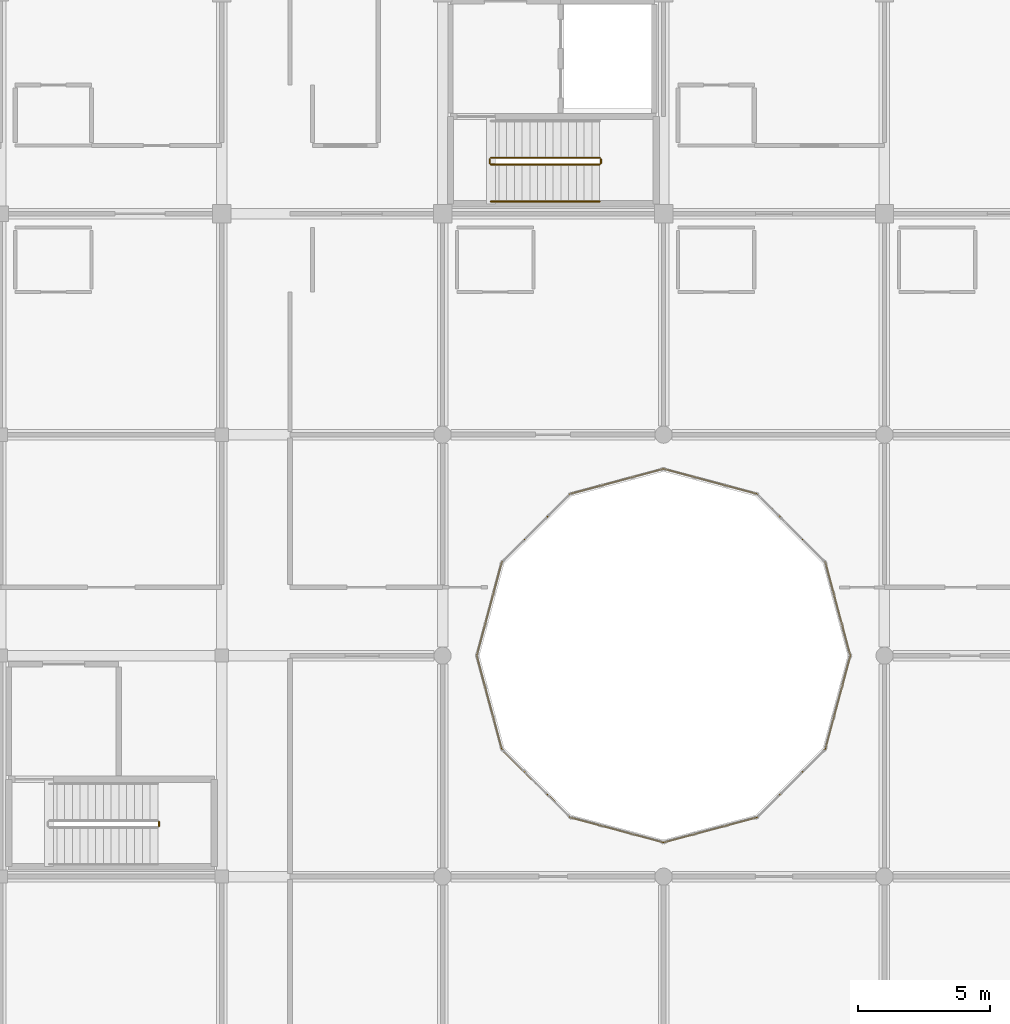
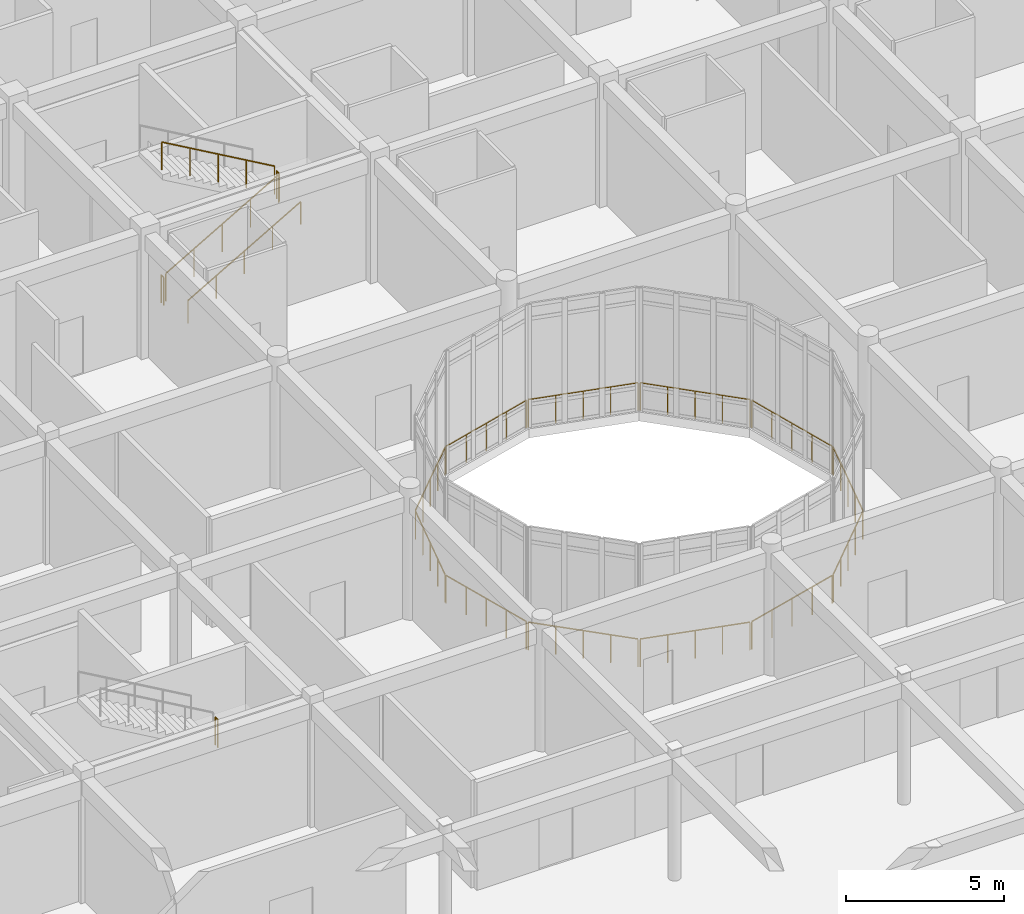
# One storey, part 126 of 134: 18 railings.
"""IFC4 building model written with IfcOpenShell, lengths in metres."""

from ifc_helpers import new_model, si_unit, direction, frame, origin, origin_2d, place, context, subcontext, project, spatial, circle, extrude, material, type_object, element, save


model = new_model("IFC4")

# Units and contexts
model_context = context("Model", 3, precision=1e-05, world=origin(), true_north=direction((0.0, 1.0)))
body_context = subcontext(model_context, "Body", "Model", "MODEL_VIEW")
ifc_project = project(units=[si_unit("LENGTHUNIT", "METRE"), si_unit("AREAUNIT", "SQUARE_METRE"), si_unit("VOLUMEUNIT", "CUBIC_METRE"), si_unit("PLANEANGLEUNIT", "RADIAN"), si_unit("MASSUNIT", "GRAM", prefix="KILO")], contexts=[model_context])

# Site, building, storey
site_placement = place(None, origin())
site = spatial("IfcSite", under=ifc_project, at=site_placement, CompositionType="ELEMENT")
building_placement = place(site_placement, origin())
building = spatial("IfcBuilding", under=site, at=building_placement, Name="Bramfleet General Hospital", CompositionType="ELEMENT")
storey_placement = place(building_placement, frame((0.0, 0.0, 9.300048828125)))
storey = spatial("IfcBuildingStorey", under=building, at=storey_placement, Name="L02", CompositionType="ELEMENT", Elevation=9.300048828125)

# Railings
ifc_material_1 = material(Name="Stainless steel 1.4401 safety balustrade", Category="steel")
railing_type_1 = type_object("IfcRailingType", Name="RAIL-EXT-GUARD", PredefinedType="GUARDRAIL", material=ifc_material_1)
railing_1_placement = place(storey_placement, frame((76.906005859375, 75.564453125, 0.0)))
element("IfcRailing", 1, at=railing_1_placement, inside=storey, type_object=railing_type_1, Name="L02 Safety Guard Rail 89", PredefinedType="GUARDRAIL", context=body_context, shape_type="SweptSolid", body=[
    extrude(circle(Radius=0.02392578125, at=origin_2d()), frame((0.0, 0.0, 1.076171875), z_axis=(0.258809459738, -0.965928394629, 0.0), x_axis=(0.965928394629, 0.258809459738, 0.0)), (0.0, 0.0, 1.0), 3.603515625),
    extrude(circle(Radius=0.02099609375, at=origin_2d()), origin(), (0.0, 0.0, 1.0), 1.052001953125),
    extrude(circle(Radius=0.02099609375, at=origin_2d()), frame((0.233154296875, -0.8701171875, 0.0)), (0.0, 0.0, 1.0), 1.052001953125),
    extrude(circle(Radius=0.02099609375, at=origin_2d()), frame((0.46630859375, -1.740234375, 0.0)), (0.0, 0.0, 1.0), 1.052001953125),
    extrude(circle(Radius=0.02099609375, at=origin_2d()), frame((0.699462890625, -2.610595703125, 0.0)), (0.0, 0.0, 1.0), 1.052001953125),
    extrude(circle(Radius=0.02099609375, at=origin_2d()), frame((0.9326171875, -3.480712890625, 0.0)), (0.0, 0.0, 1.0), 1.052001953125),
])
railing_2_placement = place(storey_placement, frame((77.874267578125, 72.022216796875, 0.0)))
element("IfcRailing", 2, at=railing_2_placement, inside=storey, type_object=railing_type_1, Name="L02 Safety Guard Rail 90", PredefinedType="GUARDRAIL", context=body_context, shape_type="SweptSolid", body=[
    extrude(circle(Radius=0.02392578125, at=origin_2d()), frame((0.0, 0.0, 1.076171875), z_axis=(0.707072903751, -0.707140656999, 0.0), x_axis=(0.707140656999, 0.707072903751, 0.0)), (0.0, 0.0, 1.0), 3.603271484375),
    extrude(circle(Radius=0.02099609375, at=origin_2d()), origin(), (0.0, 0.0, 1.0), 1.052001953125),
    extrude(circle(Radius=0.02099609375, at=origin_2d()), frame((0.636962890625, -0.636962890625, 0.0)), (0.0, 0.0, 1.0), 1.052001953125),
    extrude(circle(Radius=0.02099609375, at=origin_2d()), frame((1.27392578125, -1.27392578125, 0.0)), (0.0, 0.0, 1.0), 1.052001953125),
    extrude(circle(Radius=0.02099609375, at=origin_2d()), frame((1.910888671875, -1.9111328125, 0.0)), (0.0, 0.0, 1.0), 1.052001953125),
    extrude(circle(Radius=0.02099609375, at=origin_2d()), frame((2.5478515625, -2.548095703125, 0.0)), (0.0, 0.0, 1.0), 1.052001953125),
])
railing_3_placement = place(storey_placement, frame((80.48388671875, 69.438720703125, 0.0)))
element("IfcRailing", 3, at=railing_3_placement, inside=storey, type_object=railing_type_1, Name="L02 Safety Guard Rail 91", PredefinedType="GUARDRAIL", context=body_context, shape_type="SweptSolid", body=[
    extrude(circle(Radius=0.02392578125, at=origin_2d()), frame((0.0, 0.0, 1.076171875), z_axis=(0.965928394629, -0.258809459738, 0.0), x_axis=(0.258809459738, 0.965928394629, 0.0)), (0.0, 0.0, 1.0), 3.603515625),
    extrude(circle(Radius=0.02099609375, at=origin_2d()), origin(), (0.0, 0.0, 1.0), 1.052001953125),
    extrude(circle(Radius=0.02099609375, at=origin_2d()), frame((0.8701171875, -0.233154296875, 0.0)), (0.0, 0.0, 1.0), 1.052001953125),
    extrude(circle(Radius=0.02099609375, at=origin_2d()), frame((1.740234375, -0.46630859375, 0.0)), (0.0, 0.0, 1.0), 1.052001953125),
    extrude(circle(Radius=0.02099609375, at=origin_2d()), frame((2.610595703125, -0.699462890625, 0.0)), (0.0, 0.0, 1.0), 1.052001953125),
    extrude(circle(Radius=0.02099609375, at=origin_2d()), frame((3.480712890625, -0.9326171875, 0.0)), (0.0, 0.0, 1.0), 1.052001953125),
])
railing_4_placement = place(storey_placement, frame((84.035400390625, 68.506103515625, 0.0)))
element("IfcRailing", 4, at=railing_4_placement, inside=storey, type_object=railing_type_1, Name="L02 Safety Guard Rail 92", PredefinedType="GUARDRAIL", context=body_context, shape_type="SweptSolid", body=[
    extrude(circle(Radius=0.02392578125, at=origin_2d()), frame((0.0, 0.0, 1.076171875), z_axis=(0.965928394629, 0.258809459738, 0.0), x_axis=(-0.258809459738, 0.965928394629, 0.0)), (0.0, 0.0, 1.0), 3.603515625),
    extrude(circle(Radius=0.02099609375, at=origin_2d()), origin(), (0.0, 0.0, 1.0), 1.052001953125),
    extrude(circle(Radius=0.02099609375, at=origin_2d()), frame((0.8701171875, 0.233154296875, 0.0)), (0.0, 0.0, 1.0), 1.052001953125),
    extrude(circle(Radius=0.02099609375, at=origin_2d()), frame((1.740234375, 0.46630859375, 0.0)), (0.0, 0.0, 1.0), 1.052001953125),
    extrude(circle(Radius=0.02099609375, at=origin_2d()), frame((2.610595703125, 0.699462890625, 0.0)), (0.0, 0.0, 1.0), 1.052001953125),
    extrude(circle(Radius=0.02099609375, at=origin_2d()), frame((3.480712890625, 0.9326171875, 0.0)), (0.0, 0.0, 1.0), 1.052001953125),
])
railing_5_placement = place(storey_placement, frame((87.577880859375, 69.47412109375, 0.0)))
element("IfcRailing", 5, at=railing_5_placement, inside=storey, type_object=railing_type_1, Name="L02 Safety Guard Rail 93", PredefinedType="GUARDRAIL", context=body_context, shape_type="SweptSolid", body=[
    extrude(circle(Radius=0.02392578125, at=origin_2d()), frame((0.0, 0.0, 1.076171875), z_axis=(0.707072903751, 0.707140656999, 0.0), x_axis=(-0.707140656999, 0.707072903751, 0.0)), (0.0, 0.0, 1.0), 3.603271484375),
    extrude(circle(Radius=0.02099609375, at=origin_2d()), origin(), (0.0, 0.0, 1.0), 1.052001953125),
    extrude(circle(Radius=0.02099609375, at=origin_2d()), frame((0.636962890625, 0.636962890625, 0.0)), (0.0, 0.0, 1.0), 1.052001953125),
    extrude(circle(Radius=0.02099609375, at=origin_2d()), frame((1.27392578125, 1.27392578125, 0.0)), (0.0, 0.0, 1.0), 1.052001953125),
    extrude(circle(Radius=0.02099609375, at=origin_2d()), frame((1.910888671875, 1.9111328125, 0.0)), (0.0, 0.0, 1.0), 1.052001953125),
    extrude(circle(Radius=0.02099609375, at=origin_2d()), frame((2.5478515625, 2.548095703125, 0.0)), (0.0, 0.0, 1.0), 1.052001953125),
])
railing_6_placement = place(storey_placement, frame((90.161376953125, 72.083740234375, 0.0)))
element("IfcRailing", 6, at=railing_6_placement, inside=storey, type_object=railing_type_1, Name="L02 Safety Guard Rail 94", PredefinedType="GUARDRAIL", context=body_context, shape_type="SweptSolid", body=[
    extrude(circle(Radius=0.02392578125, at=origin_2d()), frame((0.0, 0.0, 1.076171875), z_axis=(0.258809459738, 0.965928394629, 0.0), x_axis=(-0.965928394629, 0.258809459738, 0.0)), (0.0, 0.0, 1.0), 3.603515625),
    extrude(circle(Radius=0.02099609375, at=origin_2d()), origin(), (0.0, 0.0, 1.0), 1.052001953125),
    extrude(circle(Radius=0.02099609375, at=origin_2d()), frame((0.233154296875, 0.8701171875, 0.0)), (0.0, 0.0, 1.0), 1.052001953125),
    extrude(circle(Radius=0.02099609375, at=origin_2d()), frame((0.46630859375, 1.740234375, 0.0)), (0.0, 0.0, 1.0), 1.052001953125),
    extrude(circle(Radius=0.02099609375, at=origin_2d()), frame((0.699462890625, 2.610595703125, 0.0)), (0.0, 0.0, 1.0), 1.052001953125),
    extrude(circle(Radius=0.02099609375, at=origin_2d()), frame((0.9326171875, 3.480712890625, 0.0)), (0.0, 0.0, 1.0), 1.052001953125),
])
railing_7_placement = place(storey_placement, frame((91.093994140625, 75.635498046875, 0.0)))
element("IfcRailing", 7, at=railing_7_placement, inside=storey, type_object=railing_type_1, Name="L02 Safety Guard Rail 95", PredefinedType="GUARDRAIL", context=body_context, shape_type="SweptSolid", body=[
    extrude(circle(Radius=0.02392578125, at=origin_2d()), frame((0.0, 0.0, 1.076171875), z_axis=(-0.258809459738, 0.965928394629, 0.0), x_axis=(-0.965928394629, -0.258809459738, 0.0)), (0.0, 0.0, 1.0), 3.603515625),
    extrude(circle(Radius=0.02099609375, at=origin_2d()), origin(), (0.0, 0.0, 1.0), 1.052001953125),
    extrude(circle(Radius=0.02099609375, at=origin_2d()), frame((-0.233154296875, 0.8701171875, 0.0)), (0.0, 0.0, 1.0), 1.052001953125),
    extrude(circle(Radius=0.02099609375, at=origin_2d()), frame((-0.46630859375, 1.740234375, 0.0)), (0.0, 0.0, 1.0), 1.052001953125),
    extrude(circle(Radius=0.02099609375, at=origin_2d()), frame((-0.699462890625, 2.610595703125, 0.0)), (0.0, 0.0, 1.0), 1.052001953125),
    extrude(circle(Radius=0.02099609375, at=origin_2d()), frame((-0.9326171875, 3.480712890625, 0.0)), (0.0, 0.0, 1.0), 1.052001953125),
])
railing_8_placement = place(storey_placement, frame((90.125732421875, 79.177734375, 0.0)))
element("IfcRailing", 8, at=railing_8_placement, inside=storey, type_object=railing_type_1, Name="L02 Safety Guard Rail 96", PredefinedType="GUARDRAIL", context=body_context, shape_type="SweptSolid", body=[
    extrude(circle(Radius=0.02392578125, at=origin_2d()), frame((0.0, 0.0, 1.076171875), z_axis=(-0.707072903751, 0.707140656999, 0.0), x_axis=(-0.707140656999, -0.707072903751, 0.0)), (0.0, 0.0, 1.0), 3.603271484375),
    extrude(circle(Radius=0.02099609375, at=origin_2d()), origin(), (0.0, 0.0, 1.0), 1.052001953125),
    extrude(circle(Radius=0.02099609375, at=origin_2d()), frame((-0.636962890625, 0.636962890625, 0.0)), (0.0, 0.0, 1.0), 1.052001953125),
    extrude(circle(Radius=0.02099609375, at=origin_2d()), frame((-1.27392578125, 1.27392578125, 0.0)), (0.0, 0.0, 1.0), 1.052001953125),
    extrude(circle(Radius=0.02099609375, at=origin_2d()), frame((-1.910888671875, 1.9111328125, 0.0)), (0.0, 0.0, 1.0), 1.052001953125),
    extrude(circle(Radius=0.02099609375, at=origin_2d()), frame((-2.5478515625, 2.548095703125, 0.0)), (0.0, 0.0, 1.0), 1.052001953125),
])
railing_9_placement = place(storey_placement, frame((87.51611328125, 81.761474609375, 0.0)))
element("IfcRailing", 9, at=railing_9_placement, inside=storey, type_object=railing_type_1, Name="L02 Safety Guard Rail 97", PredefinedType="GUARDRAIL", context=body_context, shape_type="SweptSolid", body=[
    extrude(circle(Radius=0.02392578125, at=origin_2d()), frame((0.0, 0.0, 1.076171875), z_axis=(-0.965928394629, 0.258809459738, 0.0), x_axis=(-0.258809459738, -0.965928394629, 0.0)), (0.0, 0.0, 1.0), 3.603515625),
    extrude(circle(Radius=0.02099609375, at=origin_2d()), origin(), (0.0, 0.0, 1.0), 1.052001953125),
    extrude(circle(Radius=0.02099609375, at=origin_2d()), frame((-0.8701171875, 0.233154296875, 0.0)), (0.0, 0.0, 1.0), 1.052001953125),
    extrude(circle(Radius=0.02099609375, at=origin_2d()), frame((-1.740234375, 0.46630859375, 0.0)), (0.0, 0.0, 1.0), 1.052001953125),
    extrude(circle(Radius=0.02099609375, at=origin_2d()), frame((-2.610595703125, 0.699462890625, 0.0)), (0.0, 0.0, 1.0), 1.052001953125),
    extrude(circle(Radius=0.02099609375, at=origin_2d()), frame((-3.480712890625, 0.9326171875, 0.0)), (0.0, 0.0, 1.0), 1.052001953125),
])
railing_10_placement = place(storey_placement, frame((83.964599609375, 82.694091796875, 0.0)))
element("IfcRailing", 10, at=railing_10_placement, inside=storey, type_object=railing_type_1, Name="L02 Safety Guard Rail 98", PredefinedType="GUARDRAIL", context=body_context, shape_type="SweptSolid", body=[
    extrude(circle(Radius=0.02392578125, at=origin_2d()), frame((0.0, 0.0, 1.076171875), z_axis=(-0.965928394629, -0.258809459738, 0.0), x_axis=(0.258809459738, -0.965928394629, 0.0)), (0.0, 0.0, 1.0), 3.603515625),
    extrude(circle(Radius=0.02099609375, at=origin_2d()), origin(), (0.0, 0.0, 1.0), 1.052001953125),
    extrude(circle(Radius=0.02099609375, at=origin_2d()), frame((-0.8701171875, -0.233154296875, 0.0)), (0.0, 0.0, 1.0), 1.052001953125),
    extrude(circle(Radius=0.02099609375, at=origin_2d()), frame((-1.740234375, -0.46630859375, 0.0)), (0.0, 0.0, 1.0), 1.052001953125),
    extrude(circle(Radius=0.02099609375, at=origin_2d()), frame((-2.610595703125, -0.699462890625, 0.0)), (0.0, 0.0, 1.0), 1.052001953125),
    extrude(circle(Radius=0.02099609375, at=origin_2d()), frame((-3.480712890625, -0.9326171875, 0.0)), (0.0, 0.0, 1.0), 1.052001953125),
])
railing_11_placement = place(storey_placement, frame((80.422119140625, 81.725830078125, 0.0)))
element("IfcRailing", 11, at=railing_11_placement, inside=storey, type_object=railing_type_1, Name="L02 Safety Guard Rail 99", PredefinedType="GUARDRAIL", context=body_context, shape_type="SweptSolid", body=[
    extrude(circle(Radius=0.02392578125, at=origin_2d()), frame((0.0, 0.0, 1.076171875), z_axis=(-0.707072903751, -0.707140656999, 0.0), x_axis=(0.707140656999, -0.707072903751, 0.0)), (0.0, 0.0, 1.0), 3.603271484375),
    extrude(circle(Radius=0.02099609375, at=origin_2d()), origin(), (0.0, 0.0, 1.0), 1.052001953125),
    extrude(circle(Radius=0.02099609375, at=origin_2d()), frame((-0.636962890625, -0.636962890625, 0.0)), (0.0, 0.0, 1.0), 1.052001953125),
    extrude(circle(Radius=0.02099609375, at=origin_2d()), frame((-1.27392578125, -1.27392578125, 0.0)), (0.0, 0.0, 1.0), 1.052001953125),
    extrude(circle(Radius=0.02099609375, at=origin_2d()), frame((-1.910888671875, -1.9111328125, 0.0)), (0.0, 0.0, 1.0), 1.052001953125),
    extrude(circle(Radius=0.02099609375, at=origin_2d()), frame((-2.5478515625, -2.548095703125, 0.0)), (0.0, 0.0, 1.0), 1.052001953125),
])
railing_12_placement = place(storey_placement, frame((77.838623046875, 79.1162109375, 0.0)))
element("IfcRailing", 12, at=railing_12_placement, inside=storey, type_object=railing_type_1, Name="L02 Safety Guard Rail 100", PredefinedType="GUARDRAIL", context=body_context, shape_type="SweptSolid", body=[
    extrude(circle(Radius=0.02392578125, at=origin_2d()), frame((0.0, 0.0, 1.076171875), z_axis=(-0.258809459738, -0.965928394629, 0.0), x_axis=(0.965928394629, -0.258809459738, 0.0)), (0.0, 0.0, 1.0), 3.603515625),
    extrude(circle(Radius=0.02099609375, at=origin_2d()), origin(), (0.0, 0.0, 1.0), 1.052001953125),
    extrude(circle(Radius=0.02099609375, at=origin_2d()), frame((-0.233154296875, -0.8701171875, 0.0)), (0.0, 0.0, 1.0), 1.052001953125),
    extrude(circle(Radius=0.02099609375, at=origin_2d()), frame((-0.46630859375, -1.740234375, 0.0)), (0.0, 0.0, 1.0), 1.052001953125),
    extrude(circle(Radius=0.02099609375, at=origin_2d()), frame((-0.699462890625, -2.610595703125, 0.0)), (0.0, 0.0, 1.0), 1.052001953125),
    extrude(circle(Radius=0.02099609375, at=origin_2d()), frame((-0.9326171875, -3.480712890625, 0.0)), (0.0, 0.0, 1.0), 1.052001953125),
])
ifc_material_2 = material(Name="Powder-coated steel stair balustrade", Category="steel")
railing_type_2 = type_object("IfcRailingType", Name="RAIL-ST-GUARD", PredefinedType="GUARDRAIL", material=ifc_material_2)
railing_13_placement = place(storey_placement, frame((77.43994140625, 94.27001953125, 0.169921875)))
element("IfcRailing", 13, at=railing_13_placement, inside=storey, type_object=railing_type_2, Name="L02 ST-C5 stair guard 1", PredefinedType="GUARDRAIL", context=body_context, shape_type="SweptSolid", body=[
    extrude(circle(Radius=0.02392578125, at=origin_2d()), frame((0.0, 0.0, 1.076171875), z_axis=(0.866425082981, 0.0, 0.499307095465), x_axis=(0.0, 1.0, 0.0)), (0.0, 0.0, 1.0), 4.766845703125),
    extrude(circle(Radius=0.02099609375, at=origin_2d()), origin(), (0.0, 0.0, 1.0), 1.052001953125),
    extrude(circle(Radius=0.02099609375, at=origin_2d()), frame((1.032470703125, 0.0, 0.594970703125)), (0.0, 0.0, 1.0), 1.052001953125),
    extrude(circle(Radius=0.02099609375, at=origin_2d()), frame((2.06494140625, 0.0, 1.18994140625)), (0.0, 0.0, 1.0), 1.052001953125),
    extrude(circle(Radius=0.02099609375, at=origin_2d()), frame((3.09765625, 0.0, 1.78515625)), (0.0, 0.0, 1.0), 1.052001953125),
    extrude(circle(Radius=0.02099609375, at=origin_2d()), frame((4.130126953125, 0.0, 2.380126953125)), (0.0, 0.0, 1.0), 1.052001953125),
])
railing_14_placement = place(storey_placement, frame((81.6201171875, 94.320068359375, 2.550048828125)))
element("IfcRailing", 14, at=railing_14_placement, inside=storey, type_object=railing_type_2, Name="L02 ST-C5 stair guard 2", PredefinedType="GUARDRAIL", context=body_context, shape_type="SweptSolid", body=[
    extrude(circle(Radius=0.02392578125, at=origin_2d()), frame((0.0, 0.0, 1.076171875), z_axis=(0.0, 1.0, 0.0), x_axis=(-1.0, 0.0, 0.0)), (0.0, 0.0, 1.0), 0.159912109375),
    extrude(circle(Radius=0.02099609375, at=origin_2d()), origin(), (0.0, 0.0, 1.0), 1.052001953125),
    extrude(circle(Radius=0.02099609375, at=origin_2d()), frame((0.0, 0.159912109375, 0.0)), (0.0, 0.0, 1.0), 1.052001953125),
])
railing_15_placement = place(storey_placement, frame((81.570068359375, 94.530029296875, 2.719970703125)))
element("IfcRailing", 15, at=railing_15_placement, inside=storey, type_object=railing_type_2, Name="L02 ST-C5 stair guard 3", PredefinedType="GUARDRAIL", context=body_context, shape_type="SweptSolid", body=[
    extrude(circle(Radius=0.02392578125, at=origin_2d()), frame((0.0, 0.0, 1.076171875), z_axis=(-0.866447239463, 0.0, 0.499268646349), x_axis=(0.0, -1.0, 0.0)), (0.0, 0.0, 1.0), 4.766845703125),
    extrude(circle(Radius=0.02099609375, at=origin_2d()), origin(), (0.0, 0.0, 1.0), 1.052001953125),
    extrude(circle(Radius=0.02099609375, at=origin_2d()), frame((-1.032470703125, 0.0, 0.594970703125)), (0.0, 0.0, 1.0), 1.052001953125),
    extrude(circle(Radius=0.02099609375, at=origin_2d()), frame((-2.06494140625, 0.0, 1.18994140625)), (0.0, 0.0, 1.0), 1.052001953125),
    extrude(circle(Radius=0.02099609375, at=origin_2d()), frame((-3.09765625, 0.0, 1.784912109375)), (0.0, 0.0, 1.0), 1.052001953125),
    extrude(circle(Radius=0.02099609375, at=origin_2d()), frame((-4.130126953125, 0.0, 2.3798828125)), (0.0, 0.0, 1.0), 1.052001953125),
])
for number, where, name in (
    (16, (77.389892578125, 94.320068359375, 0.0), "L02 ST-C5 stair guard 4"),
    (17, (64.820068359375, 69.1201171875, 2.550048828125), "L02 ST-C13 stair guard 2"),
):
    element("IfcRailing", number, at=place(storey_placement, frame(where)), inside=storey, type_object=railing_type_2, Name=name, PredefinedType="GUARDRAIL", context=body_context, shape_type="SweptSolid", body=[
        extrude(circle(Radius=0.02392578125, at=origin_2d()), frame((0.0, 0.0, 1.076171875), z_axis=(0.0, 1.0, 0.0), x_axis=(-1.0, 0.0, 0.0)), (0.0, 0.0, 1.0), 0.159912109375),
        extrude(circle(Radius=0.02099609375, at=origin_2d()), origin(), (0.0, 0.0, 1.0), 1.052001953125),
        extrude(circle(Radius=0.02099609375, at=origin_2d()), frame((0.0, 0.159912109375, 0.0)), (0.0, 0.0, 1.0), 1.052001953125),
    ])
ifc_material_3 = material(Name="Stainless steel 1.4301 stair handrail", Category="steel")
railing_type_3 = type_object("IfcRailingType", Name="RAIL-ST-HND", PredefinedType="HANDRAIL", material=ifc_material_3)
railing_16_placement = place(storey_placement, frame((77.43994140625, 92.8701171875, 0.169921875)))
element("IfcRailing", 18, at=railing_16_placement, inside=storey, type_object=railing_type_3, Name="L02 ST-C5 stair handrail 1", PredefinedType="HANDRAIL", context=body_context, shape_type="SweptSolid", body=[
    extrude(circle(Radius=0.02392578125, at=origin_2d()), frame((0.0, 0.0, 0.8759765625), z_axis=(0.866425082981, 0.0, 0.499307095465), x_axis=(0.0, 1.0, 0.0)), (0.0, 0.0, 1.0), 4.766845703125),
    extrude(circle(Radius=0.02099609375, at=origin_2d()), origin(), (0.0, 0.0, 1.0), 0.851806640625),
    extrude(circle(Radius=0.02099609375, at=origin_2d()), frame((1.032470703125, 0.0, 0.594970703125)), (0.0, 0.0, 1.0), 0.851806640625),
    extrude(circle(Radius=0.02099609375, at=origin_2d()), frame((2.06494140625, 0.0, 1.18994140625)), (0.0, 0.0, 1.0), 0.851806640625),
    extrude(circle(Radius=0.02099609375, at=origin_2d()), frame((3.09765625, 0.0, 1.78515625)), (0.0, 0.0, 1.0), 0.851806640625),
    extrude(circle(Radius=0.02099609375, at=origin_2d()), frame((4.130126953125, 0.0, 2.380126953125)), (0.0, 0.0, 1.0), 0.851806640625),
])

save(model, "model.ifc")
